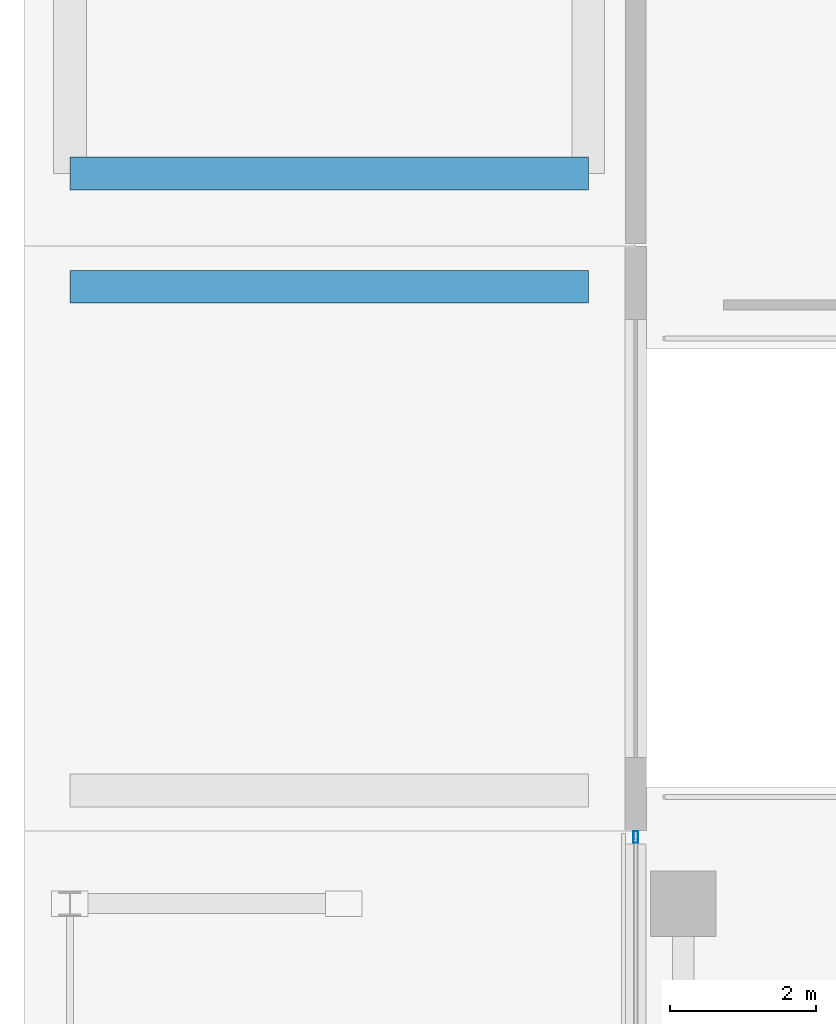
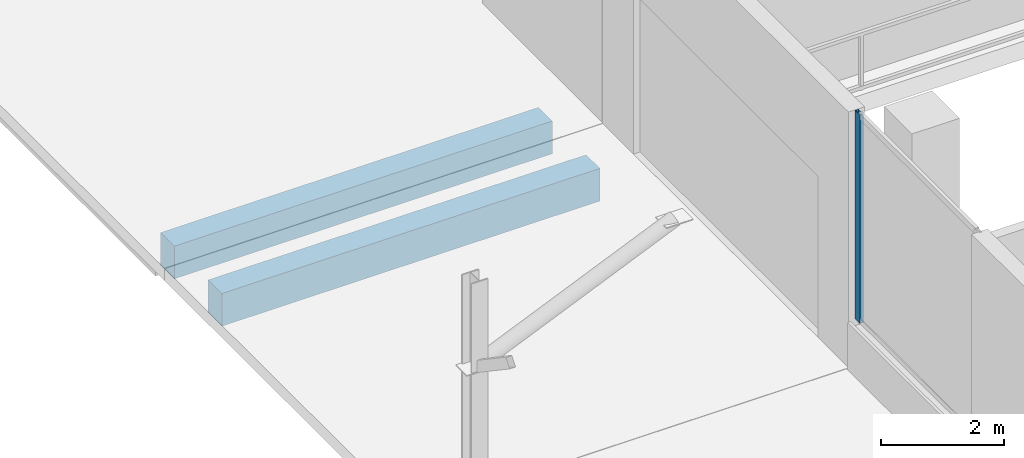
# One storey, part 69 of 158: 2 beams, 1 member, 1 element without a shape of its own.
"""IFC4 building model written with IfcOpenShell, lengths in metres."""

from ifc_helpers import new_model, si_unit, direction, frame, origin, origin_2d, place, context, subcontext, project, spatial, rectangle, hollow_rectangle, extrude, material, material_profile, profile_set, type_object, element, aggregate, save


model = new_model("IFC4")

# Units and contexts
model_context = context("Model", 3, precision=1e-05, world=origin(), true_north=direction((0.0, 1.0)))
body_context = subcontext(model_context, "Body", "Model", "MODEL_VIEW")
ifc_project = project(units=[si_unit("LENGTHUNIT", "METRE"), si_unit("AREAUNIT", "SQUARE_METRE"), si_unit("VOLUMEUNIT", "CUBIC_METRE"), si_unit("PLANEANGLEUNIT", "RADIAN"), si_unit("MASSUNIT", "GRAM", prefix="KILO")], contexts=[model_context])

# Site, building, storey
site_placement = place(None, origin())
site = spatial("IfcSite", under=ifc_project, at=site_placement, CompositionType="ELEMENT")
building_placement = place(site_placement, origin())
building = spatial("IfcBuilding", under=site, at=building_placement, Name="Selatvlak General Hospital", CompositionType="ELEMENT")
storey_placement = place(building_placement, origin())
storey = spatial("IfcBuildingStorey", under=building, at=storey_placement, Name="L00", CompositionType="ELEMENT", Elevation=0.0)

# Beams
ifc_material_1 = material(Name="Concrete C40/50", Category="concrete")
ifc_material_profile_1 = material_profile(ifc_material_1, rectangle(XDim=0.449951171875, YDim=0.64990234375, at=origin_2d()), Name="RC-BM 450x650")
ifc_profile_set_1 = profile_set([ifc_material_profile_1], Name="Concrete C40/50")
beam_type = type_object("IfcBeamType", Name="BM-G04", PredefinedType="BEAM", material=ifc_profile_set_1)
for number, where, z_axis, x_axis, name in (
    (1, (6.64990234375, 99.449951171875, -0.570068359375), (1.0, 0.0, 0.0), (0.0, 1.0, 0.0), "Beam BMR-L00-2922"),
    (2, (6.64990234375, 101.0, -0.570068359375), (1.0, 0.0, 0.0), (0.0, 1.0, 0.0), "Beam BMR-L00-2923"),
):
    element("IfcBeam", number, at=place(storey_placement, frame(where, z_axis=z_axis, x_axis=x_axis)), inside=storey, type_object=beam_type, Name=name, PredefinedType="BEAM", context=body_context, shape_type="SweptSolid", body=[
        extrude(rectangle(XDim=0.449951171875, YDim=0.64990234375, at=origin_2d()), origin(), (0.0, 0.0, 1.0), 7.10009765625),
    ])

# Curtain wall, member
ifc_material_2 = material(Name="Solar-control Low-E double glazing", Category="glass")
curtain_wall_type = type_object("IfcCurtainWallType", Name="CW-CW-02", PredefinedType="USERDEFINED", material=ifc_material_2)
curtain_wall_placement = place(storey_placement, origin())
curtain_wall = element("IfcCurtainWall", 3, at=curtain_wall_placement, inside=storey, type_object=curtain_wall_type, Name="Glazed facade curtain wall CW-L00-0001", ObjectType="UNITISED CURTAIN WALL", PredefinedType="USERDEFINED")
ifc_material_3 = material(Name="Dark anodised aluminium mullion", Category="aluminium")
ifc_material_profile_2 = material_profile(ifc_material_3, hollow_rectangle(XDim=0.06494140625, YDim=0.159912109375, WallThickness=0.00390625, at=origin_2d()), Name="AL-MUL 65x160x4")
ifc_profile_set_2 = profile_set([ifc_material_profile_2], Name="Dark anodised aluminium mullion")
member_type = type_object("IfcMemberType", Name="CWM-01", PredefinedType="MULLION", material=ifc_profile_set_2)
member_placement = place(storey_placement, frame((14.39990234375, 91.91259765625, 0.93994140625), z_axis=(0.0, 0.0, 1.0), x_axis=(-1.0, 0.0, 0.0)))
member = element("IfcMember", 4, at=member_placement, type_object=member_type, Name="CW-02 mullion 2", PredefinedType="MULLION", context=body_context, shape_type="SweptSolid", body=[
    extrude(hollow_rectangle(XDim=0.06494140625, YDim=0.159912109375, WallThickness=0.00390625, at=origin_2d()), origin(), (0.0, 0.0, 1.0), 4.14013671875),
])
aggregate(curtain_wall, [member])

save(model, "model.ifc")
